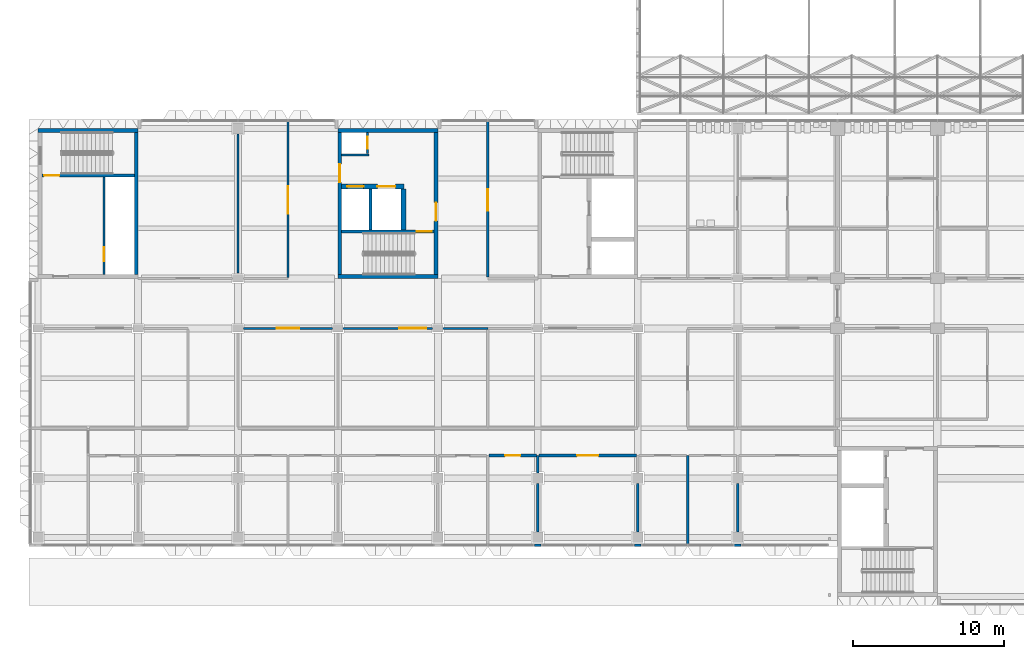
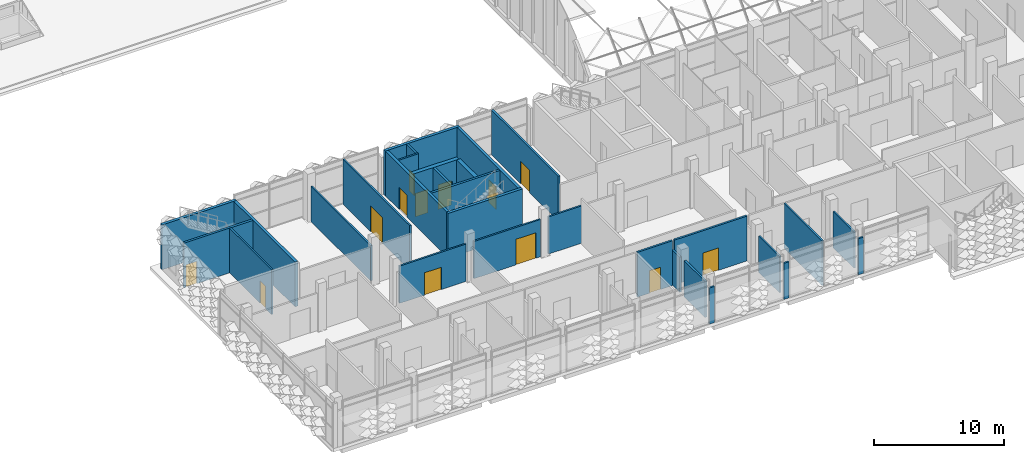
# One storey, part 50 of 109: 30 walls, 14 doors, 14 openings.
"""IFC4 building model written with IfcOpenShell, lengths in metres."""

from ifc_helpers import new_model, si_unit, direction, frame, frame_2d, origin, place, context, subcontext, project, spatial, rectangle, extrude, material, layer, layer_set, type_object, element, fill, save


model = new_model("IFC4")

# Units and contexts
model_context = context("Model", 3, precision=1e-05, world=origin(), true_north=direction((0.0, 1.0)))
body_context = subcontext(model_context, "Body", "Model", "MODEL_VIEW")
ifc_project = project(units=[si_unit("LENGTHUNIT", "METRE"), si_unit("AREAUNIT", "SQUARE_METRE"), si_unit("VOLUMEUNIT", "CUBIC_METRE"), si_unit("PLANEANGLEUNIT", "RADIAN"), si_unit("MASSUNIT", "GRAM", prefix="KILO")], contexts=[model_context])

# Site, building, storey
site_placement = place(None, origin())
site = spatial("IfcSite", under=ifc_project, at=site_placement, CompositionType="ELEMENT")
building_placement = place(site_placement, origin())
building = spatial("IfcBuilding", under=site, at=building_placement, Name="Lantern Court Research Institute", CompositionType="ELEMENT")
storey_placement = place(building_placement, frame((0.0, 0.0, 14.39990234375)))
storey = spatial("IfcBuildingStorey", under=building, at=storey_placement, Name="L03", CompositionType="ELEMENT", Elevation=14.39990234375)

# Wall, opening, door
ifc_material_1 = material(Name="Double-stud acoustic gypsum board partition, mineral wool filled")
ifc_layer_1 = layer(ifc_material_1, 0.175048828125)
ifc_layer_set_1 = layer_set([ifc_layer_1], Name="Double-stud acoustic gypsum board partition, mineral wool filled")
wall_type_1 = type_object("IfcWallType", Name="Acoustic partition 175 EI 60", PredefinedType="PARTITIONING", material=ifc_layer_set_1)
wall_1_placement = place(storey_placement, frame((29.699951171875, 23.550048828125, 0.0), z_axis=(0.0, 0.0, 1.0), x_axis=(0.0, -1.0, 0.0)))
wall_1 = element("IfcWall", 1, at=wall_1_placement, inside=storey, type_object=wall_type_1, Name="Acoustic partition 175 EI 60", PredefinedType="PARTITIONING", context=body_context, shape_type="SweptSolid", body=[
    extrude(rectangle(XDim=10.262451171875, YDim=0.175048828125, at=frame_2d((5.13134765625, 0.0))), origin(), (0.0, 0.0, 1.0), 4.2001953125),
])
opening_1_placement = place(wall_1_placement, frame((4.47509765625, 0.0, 0.0)))
opening_1 = element("IfcOpeningElement", 2, at=opening_1_placement, cuts=wall_1, Name="Opening D4304", PredefinedType="OPENING", context=body_context, shape_type="SweptSolid", body=[
    extrude(rectangle(XDim=1.39990234375, YDim=2.10009765625, at=frame_2d((0.699951171875, 1.050048828125))), frame((0.0, 0.097412109375, 0.0), z_axis=(0.0, -1.0, 0.0), x_axis=(1.0, 0.0, 0.0)), (0.0, 0.0, 1.0), 0.195068359375),
])
ifc_material_2 = material(Name="Solid-core timber door leaf", Category="wood")
ifc_layer_2 = layer(ifc_material_2, 0.053955078125)
ifc_layer_set_2 = layer_set([ifc_layer_2], Name="Solid-core timber door leaf")
door_type_1 = type_object("IfcDoorType", Name="Seminar room door 1400 x 2100 pair FD30S", OperationType="DOUBLE_DOOR_SINGLE_SWING", PredefinedType="DOOR", material=ifc_layer_set_2)
door_1_placement = place(opening_1_placement, origin())
door_1 = element("IfcDoor", 3, at=door_1_placement, inside=storey, type_object=door_type_1, Name="Door D4304", OperationType="DOUBLE_DOOR_SINGLE_SWING", OverallHeight=2.10009765625, OverallWidth=1.39990234375, PredefinedType="DOOR", context=body_context, shape_type="SweptSolid", body=[
    extrude(rectangle(XDim=1.39990234375, YDim=2.10009765625, at=frame_2d((0.699951171875, 1.050048828125))), frame((0.0, 0.02685546875, 0.0), z_axis=(0.0, -1.0, 0.0), x_axis=(1.0, 0.0, 0.0)), (0.0, 0.0, 1.0), 0.053955078125),
])
fill(opening_1, door_1)

# Walls
wall_2_placement = place(storey_placement, frame((33.0, -3.550048828125, 0.0), z_axis=(0.0, 0.0, 1.0), x_axis=(0.0, 1.0, 0.0)))
element("IfcWall", 4, at=wall_2_placement, inside=storey, type_object=wall_type_1, Name="Acoustic partition 175 EI 60", PredefinedType="PARTITIONING", context=body_context, shape_type="SweptSolid", body=[
    extrude(rectangle(XDim=3.199951171875, YDim=0.175048828125, at=frame_2d((1.60009765625, 0.0))), origin(), (0.0, 0.0, 1.0), 3.400146484375),
])
wall_3_placement = place(storey_placement, frame((33.0, 0.35009765625, 0.0), z_axis=(0.0, 0.0, 1.0), x_axis=(0.0, 1.0, 0.0)))
element("IfcWall", 5, at=wall_3_placement, inside=storey, type_object=wall_type_1, Name="Acoustic partition 175 EI 60", PredefinedType="PARTITIONING", context=body_context, shape_type="SweptSolid", body=[
    extrude(rectangle(XDim=1.14990234375, YDim=0.175048828125, at=frame_2d((0.574951171875, 0.0))), origin(), (0.0, 0.0, 1.0), 3.300048828125),
])

# Wall, opening, door
wall_4_placement = place(storey_placement, frame((32.91259765625, 1.5, 0.0), z_axis=(0.0, 0.0, 1.0), x_axis=(-1.0, 0.0, 0.0)))
wall_4 = element("IfcWall", 6, at=wall_4_placement, inside=storey, type_object=wall_type_1, Name="Acoustic partition 175 EI 60", PredefinedType="PARTITIONING", context=body_context, shape_type="SweptSolid", body=[
    extrude(rectangle(XDim=3.125, YDim=0.175048828125, at=frame_2d((1.5625, 0.0))), origin(), (0.0, 0.0, 1.0), 4.2001953125),
])
opening_2_placement = place(wall_4_placement, frame((1.0625, 0.0, 0.0)))
opening_2 = element("IfcOpeningElement", 7, at=opening_2_placement, cuts=wall_4, Name="Opening D4319", PredefinedType="OPENING", context=body_context, shape_type="SweptSolid", body=[
    extrude(rectangle(XDim=1.0, YDim=2.10009765625, at=frame_2d((0.5, 1.050048828125))), frame((0.0, 0.097412109375, 0.0), z_axis=(0.0, -1.0, 0.0), x_axis=(1.0, 0.0, 0.0)), (0.0, 0.0, 1.0), 0.195068359375),
])
ifc_material_3 = material(Name="Solid-core timber door leaf", Category="wood")
ifc_layer_3 = layer(ifc_material_3, 0.053955078125)
ifc_layer_set_3 = layer_set([ifc_layer_3], Name="Solid-core timber door leaf")
door_type_2 = type_object("IfcDoorType", Name="Meeting room door 1000 x 2100 single FD30S", OperationType="NOTDEFINED", PredefinedType="DOOR", material=ifc_layer_set_3)
door_2_placement = place(opening_2_placement, origin())
door_2 = element("IfcDoor", 8, at=door_2_placement, inside=storey, type_object=door_type_2, Name="Door D4319", OperationType="SINGLE_SWING_LEFT", OverallHeight=2.10009765625, OverallWidth=1.0, PredefinedType="DOOR", context=body_context, shape_type="SweptSolid", body=[
    extrude(rectangle(XDim=1.0, YDim=2.10009765625, at=frame_2d((0.5, 1.050048828125))), frame((0.0, 0.02685546875, 0.0), z_axis=(0.0, -1.0, 0.0), x_axis=(1.0, 0.0, 0.0)), (0.0, 0.0, 1.0), 0.053955078125),
])
fill(opening_2, door_2)

wall_5_placement = place(storey_placement, frame((39.52490234375, 1.5, 0.0), z_axis=(0.0, 0.0, 1.0), x_axis=(-1.0, 0.0, 0.0)))
wall_5 = element("IfcWall", 9, at=wall_5_placement, inside=storey, type_object=wall_type_1, Name="Acoustic partition 175 EI 60", PredefinedType="PARTITIONING", context=body_context, shape_type="SweptSolid", body=[
    extrude(rectangle(XDim=6.4375, YDim=0.175048828125, at=frame_2d((3.21875, 0.0))), origin(), (0.0, 0.0, 1.0), 4.2001953125),
])
opening_3_placement = place(wall_5_placement, frame((2.52490234375, 0.0, 0.0)))
opening_3 = element("IfcOpeningElement", 10, at=opening_3_placement, cuts=wall_5, Name="Opening D4320", PredefinedType="OPENING", context=body_context, shape_type="SweptSolid", body=[
    extrude(rectangle(XDim=1.39990234375, YDim=2.10009765625, at=frame_2d((0.699951171875, 1.050048828125))), frame((0.0, 0.097412109375, 0.0), z_axis=(0.0, -1.0, 0.0), x_axis=(1.0, 0.0, 0.0)), (0.0, 0.0, 1.0), 0.195068359375),
])
door_3_placement = place(opening_3_placement, origin())
door_3 = element("IfcDoor", 11, at=door_3_placement, inside=storey, type_object=door_type_1, Name="Door D4320", OperationType="DOUBLE_DOOR_SINGLE_SWING", OverallHeight=2.10009765625, OverallWidth=1.39990234375, PredefinedType="DOOR", context=body_context, shape_type="SweptSolid", body=[
    extrude(rectangle(XDim=1.39990234375, YDim=2.10009765625, at=frame_2d((0.699951171875, 1.050048828125))), frame((0.0, 0.02685546875, 0.0), z_axis=(0.0, -1.0, 0.0), x_axis=(1.0, 0.0, 0.0)), (0.0, 0.0, 1.0), 0.053955078125),
])
fill(opening_3, door_3)

# Walls
ifc_material_4 = material(Name="Aluminium alloy 6063-T6", Category="aluminium")
ifc_layer_4 = layer(ifc_material_4, 0.14990234375)
ifc_layer_set_4 = layer_set([ifc_layer_4], Name="Aluminium alloy 6063-T6")
wall_type_2 = type_object("IfcWallType", Name="Entrance screen wall 150 aluminium", PredefinedType="STANDARD", material=ifc_layer_set_4)
wall_6_placement = place(storey_placement, frame((33.22509765625, -4.425048828125, 0.0), z_axis=(0.0, 0.0, 1.0), x_axis=(-1.0, 0.0, 0.0)))
element("IfcWall", 12, at=wall_6_placement, inside=storey, type_object=wall_type_2, Name="Exterior wall EW174", PredefinedType="STANDARD", context=body_context, shape_type="SweptSolid", body=[
    extrude(rectangle(XDim=0.4501953125, YDim=0.14990234375, at=frame_2d((0.22509765625, 0.0))), origin(), (0.0, 0.0, 1.0), 3.400146484375),
])
for number, where, z_axis, x_axis, name in (
    (13, (39.824951171875, -4.425048828125, 0.0), (0.0, 0.0, 1.0), (-1.0, 0.0, 0.0), "Exterior wall EW175"),
    (14, (46.425048828125, -4.425048828125, 0.0), (0.0, 0.0, 1.0), (-1.0, 0.0, 0.0), "Exterior wall EW176"),
):
    element("IfcWall", number, at=place(storey_placement, frame(where, z_axis=z_axis, x_axis=x_axis)), inside=storey, type_object=wall_type_2, Name=name, PredefinedType="STANDARD", context=body_context, shape_type="SweptSolid", body=[
        extrude(rectangle(XDim=0.449951171875, YDim=0.14990234375, at=frame_2d((0.22509765625, 0.0))), origin(), (0.0, 0.0, 1.0), 3.400146484375),
    ])

# Wall, opening, door
ifc_material_5 = material(Name="Fire-rated gypsum board partition, mineral wool filled")
ifc_layer_5 = layer(ifc_material_5, 0.14990234375)
ifc_layer_set_5 = layer_set([ifc_layer_5], Name="Fire-rated gypsum board partition, mineral wool filled")
wall_type_3 = type_object("IfcWallType", Name="Laboratory partition 150 EI 60", PredefinedType="PARTITIONING", material=ifc_layer_set_5)
wall_7_placement = place(storey_placement, frame((13.550048828125, 9.89990234375, 0.0), z_axis=(0.0, 0.0, 1.0), x_axis=(1.0, 0.0, 0.0)))
wall_7 = element("IfcWall", 15, at=wall_7_placement, inside=storey, type_object=wall_type_3, Name="Laboratory partition 150 EI 60", PredefinedType="PARTITIONING", context=body_context, shape_type="SweptSolid", body=[
    extrude(rectangle(XDim=5.89990234375, YDim=0.14990234375, at=frame_2d((2.949951171875, 0.0))), origin(), (0.0, 0.0, 1.0), 3.5),
])
opening_4_placement = place(wall_7_placement, frame((2.199951171875, 0.0, 0.0)))
opening_4 = element("IfcOpeningElement", 16, at=opening_4_placement, cuts=wall_7, Name="Opening D4325", PredefinedType="OPENING", context=body_context, shape_type="SweptSolid", body=[
    extrude(rectangle(XDim=1.5, YDim=2.10009765625, at=frame_2d((0.75, 1.050048828125))), frame((0.0, 0.0849609375, 0.0), z_axis=(0.0, -1.0, 0.0), x_axis=(1.0, 0.0, 0.0)), (0.0, 0.0, 1.0), 0.169921875),
])
ifc_material_6 = material(Name="Solid-core timber door leaf with vision panel", Category="wood")
ifc_layer_6 = layer(ifc_material_6, 0.053955078125)
ifc_layer_set_6 = layer_set([ifc_layer_6], Name="Solid-core timber door leaf with vision panel")
door_type_3 = type_object("IfcDoorType", Name="Laboratory double door 1500 x 2100 pair FD30S", OperationType="DOUBLE_DOOR_SINGLE_SWING", PredefinedType="DOOR", material=ifc_layer_set_6)
door_4_placement = place(opening_4_placement, origin())
door_4 = element("IfcDoor", 17, at=door_4_placement, inside=storey, type_object=door_type_3, Name="Door D4325", OperationType="DOUBLE_DOOR_SINGLE_SWING", OverallHeight=2.10009765625, OverallWidth=1.5, PredefinedType="DOOR", context=body_context, shape_type="SweptSolid", body=[
    extrude(rectangle(XDim=1.5, YDim=2.10009765625, at=frame_2d((0.75, 1.050048828125))), frame((0.0, 0.02685546875, 0.0), z_axis=(0.0, -1.0, 0.0), x_axis=(1.0, 0.0, 0.0)), (0.0, 0.0, 1.0), 0.053955078125),
])
fill(opening_4, door_4)

wall_8_placement = place(storey_placement, frame((20.14990234375, 9.89990234375, 0.0), z_axis=(0.0, 0.0, 1.0), x_axis=(1.0, 0.0, 0.0)))
wall_8 = element("IfcWall", 18, at=wall_8_placement, inside=storey, type_object=wall_type_3, Name="Laboratory partition 150 EI 60", PredefinedType="PARTITIONING", context=body_context, shape_type="SweptSolid", body=[
    extrude(rectangle(XDim=5.900146484375, YDim=0.14990234375, at=frame_2d((2.9501953125, 0.0))), origin(), (0.0, 0.0, 1.0), 3.5),
])
opening_5_placement = place(wall_8_placement, frame((3.699951171875, 0.0, 0.0)))
opening_5 = element("IfcOpeningElement", 19, at=opening_5_placement, cuts=wall_8, Name="Opening D4326", PredefinedType="OPENING", context=body_context, shape_type="SweptSolid", body=[
    extrude(rectangle(XDim=1.800048828125, YDim=2.39990234375, at=frame_2d((0.89990234375, 1.199951171875))), frame((0.0, 0.0849609375, 0.0), z_axis=(0.0, -1.0, 0.0), x_axis=(1.0, 0.0, 0.0)), (0.0, 0.0, 1.0), 0.169921875),
])
ifc_material_7 = material(Name="Solid-core timber door leaf with vision panel", Category="wood")
ifc_layer_7 = layer(ifc_material_7, 0.053955078125)
ifc_layer_set_7 = layer_set([ifc_layer_7], Name="Solid-core timber door leaf with vision panel")
door_type_4 = type_object("IfcDoorType", Name="Laboratory equipment door 1800 x 2400 pair FD30S", OperationType="DOUBLE_DOOR_SINGLE_SWING", PredefinedType="DOOR", material=ifc_layer_set_7)
door_5_placement = place(opening_5_placement, origin())
door_5 = element("IfcDoor", 20, at=door_5_placement, inside=storey, type_object=door_type_4, Name="Door D4326", OperationType="DOUBLE_DOOR_SINGLE_SWING", OverallHeight=2.39990234375, OverallWidth=1.800048828125, PredefinedType="DOOR", context=body_context, shape_type="SweptSolid", body=[
    extrude(rectangle(XDim=1.800048828125, YDim=2.39990234375, at=frame_2d((0.89990234375, 1.199951171875))), frame((0.0, 0.02685546875, 0.0), z_axis=(0.0, -1.0, 0.0), x_axis=(1.0, 0.0, 0.0)), (0.0, 0.0, 1.0), 0.053955078125),
])
fill(opening_5, door_5)

# Walls
wall_9_placement = place(storey_placement, frame((26.75, 9.89990234375, 0.0), z_axis=(0.0, 0.0, 1.0), x_axis=(1.0, 0.0, 0.0)))
element("IfcWall", 21, at=wall_9_placement, inside=storey, type_object=wall_type_3, Name="Laboratory partition 150 EI 60", PredefinedType="PARTITIONING", context=body_context, shape_type="SweptSolid", body=[
    extrude(rectangle(XDim=2.949951171875, YDim=0.14990234375, at=frame_2d((1.47509765625, 0.0))), origin(), (0.0, 0.0, 1.0), 3.5),
])
wall_10_placement = place(storey_placement, frame((13.199951171875, 13.550048828125, 0.0), z_axis=(0.0, 0.0, 1.0), x_axis=(0.0, 1.0, 0.0)))
element("IfcWall", 22, at=wall_10_placement, inside=storey, type_object=wall_type_3, Name="Laboratory partition 150 EI 60", PredefinedType="PARTITIONING", context=body_context, shape_type="SweptSolid", body=[
    extrude(rectangle(XDim=9.199951171875, YDim=0.14990234375, at=frame_2d((4.60009765625, 0.0))), origin(), (0.0, 0.0, 1.0), 3.300048828125),
])

# Wall, opening, door
wall_11_placement = place(storey_placement, frame((16.5, 23.550048828125, 0.0), z_axis=(0.0, 0.0, 1.0), x_axis=(0.0, -1.0, 0.0)))
wall_11 = element("IfcWall", 23, at=wall_11_placement, inside=storey, type_object=wall_type_3, Name="Laboratory partition 150 EI 60", PredefinedType="PARTITIONING", context=body_context, shape_type="SweptSolid", body=[
    extrude(rectangle(XDim=10.275146484375, YDim=0.14990234375, at=frame_2d((5.1376953125, 0.0))), origin(), (0.0, 0.0, 1.0), 4.2001953125),
])
opening_6_placement = place(wall_11_placement, frame((4.27490234375, 0.0, 0.0)))
opening_6 = element("IfcOpeningElement", 24, at=opening_6_placement, cuts=wall_11, Name="Opening D4303", PredefinedType="OPENING", context=body_context, shape_type="SweptSolid", body=[
    extrude(rectangle(XDim=1.800048828125, YDim=2.39990234375, at=frame_2d((0.89990234375, 1.199951171875))), frame((0.0, 0.0849609375, 0.0), z_axis=(0.0, -1.0, 0.0), x_axis=(1.0, 0.0, 0.0)), (0.0, 0.0, 1.0), 0.169921875),
])
door_6_placement = place(opening_6_placement, origin())
door_6 = element("IfcDoor", 25, at=door_6_placement, inside=storey, type_object=door_type_4, Name="Door D4303", OperationType="DOUBLE_DOOR_SINGLE_SWING", OverallHeight=2.39990234375, OverallWidth=1.800048828125, PredefinedType="DOOR", context=body_context, shape_type="SweptSolid", body=[
    extrude(rectangle(XDim=1.800048828125, YDim=2.39990234375, at=frame_2d((0.89990234375, 1.199951171875))), frame((0.0, 0.02685546875, 0.0), z_axis=(0.0, -1.0, 0.0), x_axis=(1.0, 0.0, 0.0)), (0.0, 0.0, 1.0), 0.053955078125),
])
fill(opening_6, door_6)

# Walls
wall_12_placement = place(storey_placement, frame((39.60009765625, -3.550048828125, 0.0), z_axis=(0.0, 0.0, 1.0), x_axis=(0.0, 1.0, 0.0)))
element("IfcWall", 26, at=wall_12_placement, inside=storey, type_object=wall_type_3, Name="Laboratory partition 150 EI 60", PredefinedType="PARTITIONING", context=body_context, shape_type="SweptSolid", body=[
    extrude(rectangle(XDim=3.199951171875, YDim=0.14990234375, at=frame_2d((1.60009765625, 0.0))), origin(), (0.0, 0.0, 1.0), 3.400146484375),
])
wall_13_placement = place(storey_placement, frame((42.89990234375, -4.35009765625, 0.0), z_axis=(0.0, 0.0, 1.0), x_axis=(0.0, 1.0, 0.0)))
element("IfcWall", 27, at=wall_13_placement, inside=storey, type_object=wall_type_3, Name="Laboratory partition 150 EI 60", PredefinedType="PARTITIONING", context=body_context, shape_type="SweptSolid", body=[
    extrude(rectangle(XDim=5.85009765625, YDim=0.14990234375, at=frame_2d((2.925048828125, 0.0))), origin(), (0.0, 0.0, 1.0), 4.2001953125),
])
wall_14_placement = place(storey_placement, frame((46.199951171875, -3.550048828125, 0.0), z_axis=(0.0, 0.0, 1.0), x_axis=(0.0, 1.0, 0.0)))
element("IfcWall", 28, at=wall_14_placement, inside=storey, type_object=wall_type_3, Name="Laboratory partition 150 EI 60", PredefinedType="PARTITIONING", context=body_context, shape_type="SweptSolid", body=[
    extrude(rectangle(XDim=3.199951171875, YDim=0.14990234375, at=frame_2d((1.60009765625, 0.0))), origin(), (0.0, 0.0, 1.0), 3.400146484375),
])
ifc_material_8 = material(Name="Concrete C40/50", Category="concrete")
ifc_layer_8 = layer(ifc_material_8, 0.25)
ifc_layer_set_8 = layer_set([ifc_layer_8], Name="Concrete C40/50")
wall_type_4 = type_object("IfcWallType", Name="RC core wall 250", PredefinedType="SHEAR", material=ifc_layer_set_8)
wall_15_placement = place(storey_placement, frame((6.47509765625, 13.449951171875, 0.0), z_axis=(0.0, 0.0, 1.0), x_axis=(0.0, 1.0, 0.0)))
element("IfcWall", 29, at=wall_15_placement, inside=storey, type_object=wall_type_4, Name="East wall of core BC-W", PredefinedType="SHEAR", context=body_context, shape_type="SweptSolid", body=[
    extrude(rectangle(XDim=9.400146484375, YDim=0.25, at=frame_2d((4.7001953125, 0.0))), origin(), (0.0, 0.0, 1.0), 4.2001953125),
])
wall_16_placement = place(storey_placement, frame((19.800048828125, 13.324951171875, 0.0), z_axis=(0.0, 0.0, 1.0), x_axis=(1.0, 0.0, 0.0)))
element("IfcWall", 30, at=wall_16_placement, inside=storey, type_object=wall_type_4, Name="South wall of core BC-M", PredefinedType="SHEAR", context=body_context, shape_type="SweptSolid", body=[
    extrude(rectangle(XDim=6.599853515625, YDim=0.25, at=frame_2d((3.2998046875, 0.0))), origin(), (0.0, 0.0, 1.0), 4.2001953125),
])

# Wall, opening, door
wall_17_placement = place(storey_placement, frame((19.925048828125, 13.449951171875, 0.0), z_axis=(0.0, 0.0, 1.0), x_axis=(0.0, 1.0, 0.0)))
wall_17 = element("IfcWall", 31, at=wall_17_placement, inside=storey, type_object=wall_type_4, Name="West wall of core BC-M", PredefinedType="SHEAR", context=body_context, shape_type="SweptSolid", body=[
    extrude(rectangle(XDim=9.400146484375, YDim=0.25, at=frame_2d((4.7001953125, 0.0))), origin(), (0.0, 0.0, 1.0), 4.2001953125),
])
opening_7_placement = place(wall_17_placement, frame((6.10009765625, 0.0, 0.0)))
opening_7 = element("IfcOpeningElement", 32, at=opening_7_placement, cuts=wall_17, Name="Opening D7049", PredefinedType="OPENING", context=body_context, shape_type="SweptSolid", body=[
    extrude(rectangle(XDim=1.199951171875, YDim=2.10009765625, at=frame_2d((0.60009765625, 1.050048828125))), frame((0.0, 0.135009765625, 0.0), z_axis=(0.0, -1.0, 0.0), x_axis=(1.0, 0.0, 0.0)), (0.0, 0.0, 1.0), 0.27001953125),
])
ifc_material_9 = material(Name="Steel fire door leaf with smoke seals", Category="steel")
door_type_5 = type_object("IfcDoorType", Name="Door 1200 x 2100 fire rated FD60S", OperationType="NOTDEFINED", PredefinedType="DOOR", material=ifc_material_9)
door_7_placement = place(opening_7_placement, origin())
door_7 = element("IfcDoor", 33, at=door_7_placement, inside=storey, type_object=door_type_5, Name="Lobby door", OperationType="SINGLE_SWING_LEFT", OverallHeight=2.10009765625, OverallWidth=1.199951171875, PredefinedType="DOOR", context=body_context, shape_type="SweptSolid", body=[
    extrude(rectangle(XDim=1.199951171875, YDim=2.10009765625, at=frame_2d((0.60009765625, 1.050048828125))), frame((0.0, 0.02490234375, 0.0), z_axis=(0.0, -1.0, 0.0), x_axis=(1.0, 0.0, 0.0)), (0.0, 0.0, 1.0), 0.050048828125),
])
fill(opening_7, door_7)

wall_18_placement = place(storey_placement, frame((26.27490234375, 13.449951171875, 0.0), z_axis=(0.0, 0.0, 1.0), x_axis=(0.0, 1.0, 0.0)))
wall_18 = element("IfcWall", 34, at=wall_18_placement, inside=storey, type_object=wall_type_4, Name="East wall of core BC-M", PredefinedType="SHEAR", context=body_context, shape_type="SweptSolid", body=[
    extrude(rectangle(XDim=9.400146484375, YDim=0.25, at=frame_2d((4.7001953125, 0.0))), origin(), (0.0, 0.0, 1.0), 4.2001953125),
])
opening_8_placement = place(wall_18_placement, frame((3.550048828125, 0.0, 0.0)))
opening_8 = element("IfcOpeningElement", 35, at=opening_8_placement, cuts=wall_18, Name="Opening D7048", PredefinedType="OPENING", context=body_context, shape_type="SweptSolid", body=[
    extrude(rectangle(XDim=1.199951171875, YDim=2.10009765625, at=frame_2d((0.60009765625, 1.050048828125))), frame((0.0, 0.135009765625, 0.0), z_axis=(0.0, -1.0, 0.0), x_axis=(1.0, 0.0, 0.0)), (0.0, 0.0, 1.0), 0.27001953125),
])
door_8_placement = place(opening_8_placement, origin())
door_8 = element("IfcDoor", 36, at=door_8_placement, inside=storey, type_object=door_type_5, Name="Lobby door", OperationType="SINGLE_SWING_RIGHT", OverallHeight=2.10009765625, OverallWidth=1.199951171875, PredefinedType="DOOR", context=body_context, shape_type="SweptSolid", body=[
    extrude(rectangle(XDim=1.199951171875, YDim=2.10009765625, at=frame_2d((0.60009765625, 1.050048828125))), frame((0.0, 0.02490234375, 0.0), z_axis=(0.0, -1.0, 0.0), x_axis=(1.0, 0.0, 0.0)), (0.0, 0.0, 1.0), 0.050048828125),
])
fill(opening_8, door_8)

# Walls
ifc_material_10 = material(Name="Concrete C40/50", Category="concrete")
ifc_layer_9 = layer(ifc_material_10, 0.25)
ifc_layer_set_9 = layer_set([ifc_layer_9], Name="Concrete C40/50")
wall_type_5 = type_object("IfcWallType", Name="RC core wall 250 facade", PredefinedType="SHEAR", material=ifc_layer_set_9)
wall_19_placement = place(storey_placement, frame((0.0, 22.97509765625, 0.0), z_axis=(0.0, 0.0, 1.0), x_axis=(1.0, 0.0, 0.0)))
element("IfcWall", 37, at=wall_19_placement, inside=storey, type_object=wall_type_5, Name="North wall of core BC-W", PredefinedType="SHEAR", context=body_context, shape_type="SweptSolid", body=[
    extrude(rectangle(XDim=6.60009765625, YDim=0.25, at=frame_2d((3.300048828125, 0.0))), origin(), (0.0, 0.0, 1.0), 4.2001953125),
])
wall_20_placement = place(storey_placement, frame((19.800048828125, 22.97509765625, 0.0), z_axis=(0.0, 0.0, 1.0), x_axis=(1.0, 0.0, 0.0)))
element("IfcWall", 38, at=wall_20_placement, inside=storey, type_object=wall_type_5, Name="North wall of core BC-M", PredefinedType="SHEAR", context=body_context, shape_type="SweptSolid", body=[
    extrude(rectangle(XDim=6.599853515625, YDim=0.25, at=frame_2d((3.2998046875, 0.0))), origin(), (0.0, 0.0, 1.0), 4.2001953125),
])

# Wall, opening, door
ifc_material_11 = material(Name="Concrete C40/50", Category="concrete")
ifc_layer_10 = layer(ifc_material_11, 0.14990234375)
ifc_layer_set_10 = layer_set([ifc_layer_10], Name="Concrete C40/50")
wall_type_6 = type_object("IfcWallType", Name="RC shaft wall 150", PredefinedType="SHEAR", material=ifc_layer_set_10)
wall_21_placement = place(storey_placement, frame((4.35009765625, 13.449951171875, 0.0), z_axis=(0.0, 0.0, 1.0), x_axis=(0.0, 1.0, 0.0)))
wall_21 = element("IfcWall", 39, at=wall_21_placement, inside=storey, type_object=wall_type_6, Name="Riser wall of core BC-W", PredefinedType="SHEAR", context=body_context, shape_type="SweptSolid", body=[
    extrude(rectangle(XDim=6.449951171875, YDim=0.14990234375, at=frame_2d((3.22509765625, 0.0))), origin(), (0.0, 0.0, 1.0), 4.2001953125),
])
opening_9_placement = place(wall_21_placement, frame((0.89990234375, 0.0, 0.0)))
opening_9 = element("IfcOpeningElement", 40, at=opening_9_placement, cuts=wall_21, Name="Opening D7014", PredefinedType="OPENING", context=body_context, shape_type="SweptSolid", body=[
    extrude(rectangle(XDim=0.89990234375, YDim=2.10009765625, at=frame_2d((0.449951171875, 1.050048828125))), frame((0.0, 0.0849609375, 0.0), z_axis=(0.0, -1.0, 0.0), x_axis=(1.0, 0.0, 0.0)), (0.0, 0.0, 1.0), 0.169921875),
])
ifc_material_12 = material(Name="Steel fire door leaf", Category="steel")
door_type_6 = type_object("IfcDoorType", Name="Door 900 x 2100 fire rated FD60", OperationType="NOTDEFINED", PredefinedType="DOOR", material=ifc_material_12)
door_9_placement = place(opening_9_placement, origin())
door_9 = element("IfcDoor", 41, at=door_9_placement, inside=storey, type_object=door_type_6, Name="Riser door", OperationType="SINGLE_SWING_RIGHT", OverallHeight=2.10009765625, OverallWidth=0.89990234375, PredefinedType="DOOR", context=body_context, shape_type="SweptSolid", body=[
    extrude(rectangle(XDim=0.89990234375, YDim=2.10009765625, at=frame_2d((0.449951171875, 1.050048828125))), frame((0.0, 0.02490234375, 0.0), z_axis=(0.0, -1.0, 0.0), x_axis=(1.0, 0.0, 0.0)), (0.0, 0.0, 1.0), 0.050048828125),
])
fill(opening_9, door_9)

# Wall
wall_22_placement = place(storey_placement, frame((20.050048828125, 21.35009765625, 0.0), z_axis=(0.0, 0.0, 1.0), x_axis=(1.0, 0.0, 0.0)))
element("IfcWall", 42, at=wall_22_placement, inside=storey, type_object=wall_type_6, Name="Riser wall of core BC-M", PredefinedType="SHEAR", context=body_context, shape_type="SweptSolid", body=[
    extrude(rectangle(XDim=1.800048828125, YDim=0.14990234375, at=frame_2d((0.89990234375, 0.0))), origin(), (0.0, 0.0, 1.0), 4.2001953125),
])

# Wall, opening, door
wall_23_placement = place(storey_placement, frame((21.75, 21.449951171875, 0.0), z_axis=(0.0, 0.0, 1.0), x_axis=(0.0, 1.0, 0.0)))
wall_23 = element("IfcWall", 43, at=wall_23_placement, inside=storey, type_object=wall_type_6, Name="Riser wall of core BC-M", PredefinedType="SHEAR", context=body_context, shape_type="SweptSolid", body=[
    extrude(rectangle(XDim=1.400146484375, YDim=0.14990234375, at=frame_2d((0.7001953125, 0.0))), origin(), (0.0, 0.0, 1.0), 4.2001953125),
])
opening_10_placement = place(wall_23_placement, frame((0.300048828125, 0.0, 0.0)))
opening_10 = element("IfcOpeningElement", 44, at=opening_10_placement, cuts=wall_23, Name="Opening D7051", PredefinedType="OPENING", context=body_context, shape_type="SweptSolid", body=[
    extrude(rectangle(XDim=0.800048828125, YDim=2.0, at=frame_2d((0.39990234375, 1.0))), frame((0.0, 0.0849609375, 0.0), z_axis=(0.0, -1.0, 0.0), x_axis=(1.0, 0.0, 0.0)), (0.0, 0.0, 1.0), 0.169921875),
])
ifc_material_13 = material(Name="Steel fire door leaf", Category="steel")
door_type_7 = type_object("IfcDoorType", Name="Door 800 x 2000 fire rated FD60", OperationType="NOTDEFINED", PredefinedType="DOOR", material=ifc_material_13)
door_10_placement = place(opening_10_placement, origin())
door_10 = element("IfcDoor", 45, at=door_10_placement, inside=storey, type_object=door_type_7, Name="Riser door", OperationType="SINGLE_SWING_LEFT", OverallHeight=2.0, OverallWidth=0.800048828125, PredefinedType="DOOR", context=body_context, shape_type="SweptSolid", body=[
    extrude(rectangle(XDim=0.800048828125, YDim=2.0, at=frame_2d((0.39990234375, 1.0))), frame((0.0, 0.02490234375, 0.0), z_axis=(0.0, -1.0, 0.0), x_axis=(1.0, 0.0, 0.0)), (0.0, 0.0, 1.0), 0.050048828125),
])
fill(opening_10, door_10)

ifc_material_14 = material(Name="Concrete C40/50", Category="concrete")
ifc_layer_11 = layer(ifc_material_14, 0.199951171875)
ifc_layer_set_11 = layer_set([ifc_layer_11], Name="Concrete C40/50")
wall_type_7 = type_object("IfcWallType", Name="RC shaft wall 200", PredefinedType="SHEAR", material=ifc_layer_set_11)
wall_24_placement = place(storey_placement, frame((0.25, 20.0, 0.0), z_axis=(0.0, 0.0, 1.0), x_axis=(1.0, 0.0, 0.0)))
wall_24 = element("IfcWall", 46, at=wall_24_placement, inside=storey, type_object=wall_type_7, Name="Stair wall of core BC-W", PredefinedType="SHEAR", context=body_context, shape_type="SweptSolid", body=[
    extrude(rectangle(XDim=6.10009765625, YDim=0.199951171875, at=frame_2d((3.050048828125, 0.0))), origin(), (0.0, 0.0, 1.0), 4.2001953125),
])
opening_11_placement = place(wall_24_placement, frame((0.14990234375, 0.0, 0.0)))
opening_11 = element("IfcOpeningElement", 47, at=opening_11_placement, cuts=wall_24, Name="Opening D7016", PredefinedType="OPENING", context=body_context, shape_type="SweptSolid", body=[
    extrude(rectangle(XDim=1.0, YDim=2.10009765625, at=frame_2d((0.5, 1.050048828125))), frame((0.0, 0.10986328125, 0.0), z_axis=(0.0, -1.0, 0.0), x_axis=(1.0, 0.0, 0.0)), (0.0, 0.0, 1.0), 0.219970703125),
])
ifc_material_15 = material(Name="Steel fire door leaf with smoke seals", Category="steel")
door_type_8 = type_object("IfcDoorType", Name="Door 1000 x 2100 fire rated FD60S", OperationType="NOTDEFINED", PredefinedType="DOOR", material=ifc_material_15)
door_11_placement = place(opening_11_placement, origin())
door_11 = element("IfcDoor", 48, at=door_11_placement, inside=storey, type_object=door_type_8, Name="Stair door", OperationType="SINGLE_SWING_RIGHT", OverallHeight=2.10009765625, OverallWidth=1.0, PredefinedType="DOOR", context=body_context, shape_type="SweptSolid", body=[
    extrude(rectangle(XDim=1.0, YDim=2.10009765625, at=frame_2d((0.5, 1.050048828125))), frame((0.0, 0.02490234375, 0.0), z_axis=(0.0, -1.0, 0.0), x_axis=(1.0, 0.0, 0.0)), (0.0, 0.0, 1.0), 0.050048828125),
])
fill(opening_11, door_11)

wall_25_placement = place(storey_placement, frame((20.050048828125, 16.300048828125, 0.0), z_axis=(0.0, 0.0, 1.0), x_axis=(1.0, 0.0, 0.0)))
wall_25 = element("IfcWall", 49, at=wall_25_placement, inside=storey, type_object=wall_type_7, Name="Stair wall of core BC-M", PredefinedType="SHEAR", context=body_context, shape_type="SweptSolid", body=[
    extrude(rectangle(XDim=6.099853515625, YDim=0.199951171875, at=frame_2d((3.0498046875, 0.0))), origin(), (0.0, 0.0, 1.0), 4.2001953125),
])
opening_12_placement = place(wall_25_placement, frame((4.949951171875, 0.0, 0.0)))
opening_12 = element("IfcOpeningElement", 50, at=opening_12_placement, cuts=wall_25, Name="Opening D7050", PredefinedType="OPENING", context=body_context, shape_type="SweptSolid", body=[
    extrude(rectangle(XDim=1.0, YDim=2.199951171875, at=frame_2d((0.5, 1.10009765625))), frame((0.0, 0.10986328125, 0.0), z_axis=(0.0, -1.0, 0.0), x_axis=(1.0, 0.0, 0.0)), (0.0, 0.0, 1.0), 0.219970703125),
])
ifc_material_16 = material(Name="Steel fire door leaf with smoke seals", Category="steel")
door_type_9 = type_object("IfcDoorType", Name="Door 1000 x 2200 fire rated FD60S", OperationType="NOTDEFINED", PredefinedType="DOOR", material=ifc_material_16)
door_12_placement = place(opening_12_placement, origin())
door_12 = element("IfcDoor", 51, at=door_12_placement, inside=storey, type_object=door_type_9, Name="Stair door", OperationType="SINGLE_SWING_RIGHT", OverallHeight=2.199951171875, OverallWidth=1.0, PredefinedType="DOOR", context=body_context, shape_type="SweptSolid", body=[
    extrude(rectangle(XDim=1.0, YDim=2.199951171875, at=frame_2d((0.5, 1.10009765625))), frame((0.0, 0.02490234375, 0.0), z_axis=(0.0, -1.0, 0.0), x_axis=(1.0, 0.0, 0.0)), (0.0, 0.0, 1.0), 0.050048828125),
])
fill(opening_12, door_12)

# Wall
wall_26_placement = place(storey_placement, frame((21.949951171875, 16.39990234375, 0.0), z_axis=(0.0, 0.0, 1.0), x_axis=(0.0, 1.0, 0.0)))
element("IfcWall", 52, at=wall_26_placement, inside=storey, type_object=wall_type_7, Name="Lift shaft wall of core BC-M", PredefinedType="SHEAR", context=body_context, shape_type="SweptSolid", body=[
    extrude(rectangle(XDim=2.7001953125, YDim=0.199951171875, at=frame_2d((1.35009765625, 0.0))), origin(), (0.0, 0.0, 1.0), 4.2001953125),
])

# Wall, openings, doors
ifc_material_17 = material(Name="Concrete C40/50", Category="concrete")
ifc_layer_12 = layer(ifc_material_17, 0.35009765625)
ifc_layer_set_12 = layer_set([ifc_layer_12], Name="Concrete C40/50")
wall_type_8 = type_object("IfcWallType", Name="RC shaft wall 350", PredefinedType="SHEAR", material=ifc_layer_set_12)
wall_27_placement = place(storey_placement, frame((20.050048828125, 19.27490234375, 0.0), z_axis=(0.0, 0.0, 1.0), x_axis=(1.0, 0.0, 0.0)))
wall_27 = element("IfcWall", 53, at=wall_27_placement, inside=storey, type_object=wall_type_8, Name="Lift shaft wall of core BC-M", PredefinedType="SHEAR", context=body_context, shape_type="SweptSolid", body=[
    extrude(rectangle(XDim=4.099853515625, YDim=0.35009765625, at=frame_2d((2.0498046875, 0.0))), origin(), (0.0, 0.0, 1.0), 4.2001953125),
])
opening_13_placement = place(wall_27_placement, frame((0.35009765625, 0.0, 0.0)))
opening_13 = element("IfcOpeningElement", 54, at=opening_13_placement, cuts=wall_27, Name="Opening D7052", PredefinedType="OPENING", context=body_context, shape_type="SweptSolid", body=[
    extrude(rectangle(XDim=1.10009765625, YDim=2.199951171875, at=frame_2d((0.550048828125, 1.10009765625))), frame((0.0, 0.18505859375, 0.0), z_axis=(0.0, -1.0, 0.0), x_axis=(1.0, 0.0, 0.0)), (0.0, 0.0, 1.0), 0.3701171875),
])
opening_14_placement = place(wall_27_placement, frame((2.35009765625, 0.0, 0.0)))
opening_14 = element("IfcOpeningElement", 55, at=opening_14_placement, cuts=wall_27, Name="Opening D7053", PredefinedType="OPENING", context=body_context, shape_type="SweptSolid", body=[
    extrude(rectangle(XDim=1.199951171875, YDim=2.300048828125, at=frame_2d((0.60009765625, 1.14990234375))), frame((0.0, 0.18505859375, 0.0), z_axis=(0.0, -1.0, 0.0), x_axis=(1.0, 0.0, 0.0)), (0.0, 0.0, 1.0), 0.3701171875),
])
ifc_material_18 = material(Name="Stainless steel landing door panels", Category="steel")
door_type_10 = type_object("IfcDoorType", Name="Lift landing door 1100 x 2200 sliding FD60", OperationType="DOUBLE_DOOR_SLIDING", PredefinedType="NOTDEFINED", material=ifc_material_18)
door_13_placement = place(opening_13_placement, origin())
door_13 = element("IfcDoor", 56, at=door_13_placement, inside=storey, type_object=door_type_10, Name="Landing door", OperationType="DOUBLE_DOOR_SLIDING", OverallHeight=2.199951171875, OverallWidth=1.10009765625, PredefinedType="NOTDEFINED", context=body_context, shape_type="SweptSolid", body=[
    extrude(rectangle(XDim=1.10009765625, YDim=2.199951171875, at=frame_2d((0.550048828125, 1.10009765625))), frame((0.0, 0.02490234375, 0.0), z_axis=(0.0, -1.0, 0.0), x_axis=(1.0, 0.0, 0.0)), (0.0, 0.0, 1.0), 0.050048828125),
])
fill(opening_13, door_13)
ifc_material_19 = material(Name="Stainless steel landing door panels", Category="steel")
door_type_11 = type_object("IfcDoorType", Name="Lift landing door 1200 x 2300 sliding FD60", OperationType="DOUBLE_DOOR_SLIDING", PredefinedType="NOTDEFINED", material=ifc_material_19)
door_14_placement = place(opening_14_placement, origin())
door_14 = element("IfcDoor", 57, at=door_14_placement, inside=storey, type_object=door_type_11, Name="Landing door", OperationType="DOUBLE_DOOR_SLIDING", OverallHeight=2.300048828125, OverallWidth=1.199951171875, PredefinedType="NOTDEFINED", context=body_context, shape_type="SweptSolid", body=[
    extrude(rectangle(XDim=1.199951171875, YDim=2.300048828125, at=frame_2d((0.60009765625, 1.14990234375))), frame((0.0, 0.02490234375, 0.0), z_axis=(0.0, -1.0, 0.0), x_axis=(1.0, 0.0, 0.0)), (0.0, 0.0, 1.0), 0.050048828125),
])
fill(opening_14, door_14)

# Wall
wall_28_placement = place(storey_placement, frame((24.125, 16.39990234375, 0.0), z_axis=(0.0, 0.0, 1.0), x_axis=(0.0, 1.0, 0.0)))
element("IfcWall", 58, at=wall_28_placement, inside=storey, type_object=wall_type_8, Name="Lift shaft wall of core BC-M", PredefinedType="SHEAR", context=body_context, shape_type="SweptSolid", body=[
    extrude(rectangle(XDim=2.7001953125, YDim=0.35009765625, at=frame_2d((1.35009765625, 0.0))), origin(), (0.0, 0.0, 1.0), 4.2001953125),
])

save(model, "model.ifc")
